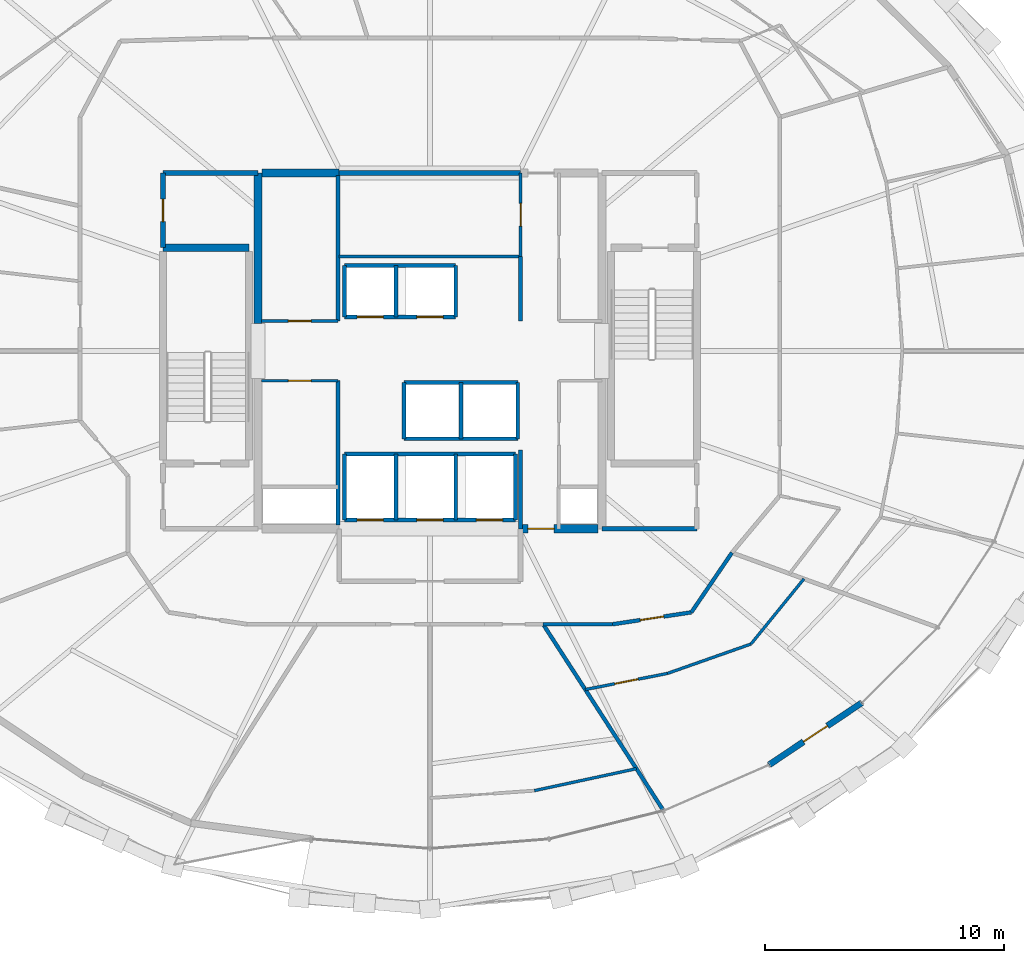
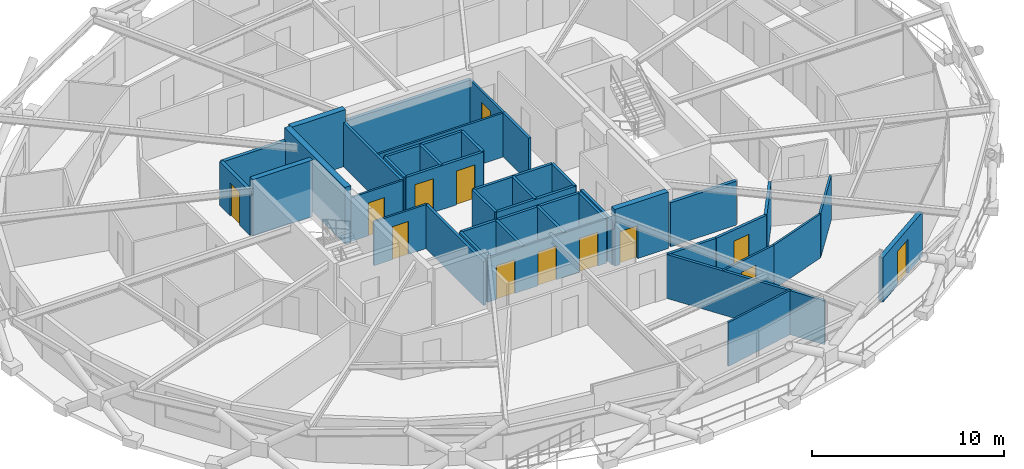
# One storey, part 15 of 19: 41 walls, 13 doors, 13 openings.
"""IFC4 building model written with IfcOpenShell, lengths in metres."""

from ifc_helpers import new_model, si_unit, direction, frame, frame_2d, origin, place, context, subcontext, project, spatial, rectangle, extrude, material, layer, layer_set, type_object, element, fill, save


model = new_model("IFC4")

# Units and contexts
model_context = context("Model", 3, precision=1e-05, world=origin(), true_north=direction((0.0, 1.0)))
body_context = subcontext(model_context, "Body", "Model", "MODEL_VIEW")
ifc_project = project(units=[si_unit("LENGTHUNIT", "METRE"), si_unit("AREAUNIT", "SQUARE_METRE"), si_unit("VOLUMEUNIT", "CUBIC_METRE"), si_unit("PLANEANGLEUNIT", "RADIAN"), si_unit("MASSUNIT", "GRAM", prefix="KILO")], contexts=[model_context])

# Site, building, storey
site_placement = place(None, origin())
site = spatial("IfcSite", under=ifc_project, at=site_placement, CompositionType="ELEMENT")
building_placement = place(site_placement, origin())
building = spatial("IfcBuilding", under=site, at=building_placement, Name="Veldorina Hangang Commons", CompositionType="ELEMENT")
storey_placement = place(building_placement, frame((0.0, 0.0, 167.60009765625)))
storey = spatial("IfcBuildingStorey", under=building, at=storey_placement, Name="L43", CompositionType="ELEMENT", Elevation=167.60009765625)

# Wall
ifc_material_1 = material(Name="Concrete C60/75", Category="concrete")
ifc_layer_1 = layer(ifc_material_1, 0.340087890625)
ifc_layer_set_1 = layer_set([ifc_layer_1], Name="Concrete C60/75")
wall_type_1 = type_object("IfcWallType", Name="CW-RC340-C60", PredefinedType="SHEAR", material=ifc_layer_set_1)
wall_1_placement = place(storey_placement, frame((24.800048828125, 25.14990234375, 0.0), z_axis=(0.0, 0.0, 1.0), x_axis=(0.0, 1.0, 0.0)))
element("IfcWall", 1, at=wall_1_placement, inside=storey, type_object=wall_type_1, Name="L43 W north core shear wall", PredefinedType="SHEAR", context=body_context, shape_type="SweptSolid", body=[
    extrude(rectangle(XDim=6.300048828125, YDim=0.340087890625, at=frame_2d((3.14990234375, 0.0))), origin(), (0.0, 0.0, 1.0), 3.599853515625),
])

# Wall, opening, door
wall_2_placement = place(storey_placement, frame((35.800048828125, 16.550048828125, 0.0), z_axis=(0.0, 0.0, 1.0), x_axis=(1.0, 0.0, 0.0)))
wall_2 = element("IfcWall", 2, at=wall_2_placement, inside=storey, type_object=wall_type_1, Name="L43 south-east core shear wall", PredefinedType="SHEAR", context=body_context, shape_type="SweptSolid", body=[
    extrude(rectangle(XDim=3.22998046875, YDim=0.340087890625, at=frame_2d((1.614990234375, 0.0))), origin(), (0.0, 0.0, 1.0), 3.599853515625),
])
opening_1_placement = place(wall_2_placement, frame((0.300048828125, 0.0, 0.0)))
opening_1 = element("IfcOpeningElement", 3, at=opening_1_placement, cuts=wall_2, Name="Opening D-08", PredefinedType="OPENING", context=body_context, shape_type="SweptSolid", body=[
    extrude(rectangle(XDim=1.10009765625, YDim=2.10009765625, at=frame_2d((0.550048828125, 1.050048828125))), frame((0.0, 0.18017578125, 0.0), z_axis=(0.0, -1.0, 0.0), x_axis=(1.0, 0.0, 0.0)), (0.0, 0.0, 1.0), 0.360107421875),
])
ifc_material_2 = material(Name="Steel Fire-Rated Smoke Seal", Category="steel")
door_type_1 = type_object("IfcDoorType", Name="DR-FIRE-1100", OperationType="SINGLE_SWING_RIGHT", PredefinedType="DOOR", material=ifc_material_2)
door_1_placement = place(opening_1_placement, origin())
door_1 = element("IfcDoor", 4, at=door_1_placement, inside=storey, type_object=door_type_1, Name="L43 central lift lobby south corridor door", OperationType="SINGLE_SWING_RIGHT", OverallHeight=2.10009765625, OverallWidth=1.10009765625, PredefinedType="DOOR", context=body_context, shape_type="SweptSolid", body=[
    extrude(rectangle(XDim=1.10009765625, YDim=2.10009765625, at=frame_2d((0.550048828125, 1.050048828125))), frame((0.0, 0.02490234375, 0.0), z_axis=(0.0, -1.0, 0.0), x_axis=(1.0, 0.0, 0.0)), (0.0, 0.0, 1.0), 0.050048828125),
])
fill(opening_1, door_1)

# Wall
wall_3_placement = place(storey_placement, frame((24.969970703125, 31.449951171875, 0.0), z_axis=(0.0, 0.0, 1.0), x_axis=(1.0, 0.0, 0.0)))
element("IfcWall", 5, at=wall_3_placement, inside=storey, type_object=wall_type_1, Name="L43 north-west core shear wall", PredefinedType="SHEAR", context=body_context, shape_type="SweptSolid", body=[
    extrude(rectangle(XDim=3.22998046875, YDim=0.340087890625, at=frame_2d((1.614990234375, 0.0))), origin(), (0.0, 0.0, 1.0), 3.599853515625),
])

# Wall, opening, door
ifc_material_3 = material(Name="Stone Roman Travertine", Category="masonry")
ifc_layer_2 = layer(ifc_material_3, 0.260009765625)
ifc_layer_set_2 = layer_set([ifc_layer_2], Name="Stone Roman Travertine")
wall_type_2 = type_object("IfcWallType", Name="EW-LOGGIA-260", PredefinedType="STANDARD", material=ifc_layer_set_2)
wall_4_placement = place(storey_placement, frame((46.208740234375, 6.66650390625, 0.0), z_axis=(0.0, 0.0, 1.0), x_axis=(0.831163195786, 0.556028544205, 0.0)))
wall_4 = element("IfcWall", 6, at=wall_4_placement, inside=storey, type_object=wall_type_2, Name="L43 sky-garden loggia portal wall 27", PredefinedType="STANDARD", context=body_context, shape_type="SweptSolid", body=[
    extrude(rectangle(XDim=4.6630859375, YDim=0.260009765625, at=frame_2d((2.33154296875, 0.0))), origin(), (0.0, 0.0, 1.0), 2.81982421875),
])
opening_2_placement = place(wall_4_placement, frame((1.7314453125, 0.0, 0.0)))
opening_2 = element("IfcOpeningElement", 7, at=opening_2_placement, cuts=wall_4, Name="Opening BD-1200", PredefinedType="OPENING", context=body_context, shape_type="SweptSolid", body=[
    extrude(rectangle(XDim=1.199951171875, YDim=2.14990234375, at=frame_2d((0.60009765625, 1.074951171875))), frame((0.0, 0.14013671875, 0.0), z_axis=(0.0, -1.0, 0.0), x_axis=(1.0, 0.0, 0.0)), (0.0, 0.0, 1.0), 0.280029296875),
])
ifc_material_4 = material(Name="Glass Thermal Aluminium Frame", Category="aluminium")
door_type_2 = type_object("IfcDoorType", Name="DR-EXT-LOG1200", OperationType="SINGLE_SWING_LEFT", PredefinedType="DOOR", material=ifc_material_4)
door_2_placement = place(opening_2_placement, origin())
door_2 = element("IfcDoor", 8, at=door_2_placement, inside=storey, type_object=door_type_2, Name="L43 loggia glazed exterior door 27", OperationType="SINGLE_SWING_RIGHT", OverallHeight=2.14990234375, OverallWidth=1.199951171875, PredefinedType="DOOR", context=body_context, shape_type="SweptSolid", body=[
    extrude(rectangle(XDim=1.199951171875, YDim=2.14990234375, at=frame_2d((0.60009765625, 1.074951171875))), frame((0.0, 0.02490234375, 0.0), z_axis=(0.0, -1.0, 0.0), x_axis=(1.0, 0.0, 0.0)), (0.0, 0.0, 1.0), 0.050048828125),
])
fill(opening_2, door_2)

# Walls
ifc_material_5 = material(Name="Concrete C50/60", Category="concrete")
ifc_layer_3 = layer(ifc_material_5, 0.300048828125)
ifc_layer_set_3 = layer_set([ifc_layer_3], Name="Concrete C50/60")
wall_type_3 = type_object("IfcWallType", Name="SW-STAIR-300", PredefinedType="SHEAR", material=ifc_layer_set_3)
wall_5_placement = place(storey_placement, frame((20.820068359375, 28.320068359375, 0.0), z_axis=(0.0, 0.0, 1.0), x_axis=(1.0, 0.0, 0.0)))
element("IfcWall", 9, at=wall_5_placement, inside=storey, type_object=wall_type_3, Name="L43 ST1 north stair shear wall", PredefinedType="SHEAR", context=body_context, shape_type="SweptSolid", body=[
    extrude(rectangle(XDim=3.599853515625, YDim=0.300048828125, at=frame_2d((1.7998046875, 0.0))), origin(), (0.0, 0.0, 1.0), 3.599853515625),
])
ifc_material_6 = material(Name="Gypsum Fire-Rated Twin Stud Wall", Category="gypsum")
ifc_layer_4 = layer(ifc_material_6, 0.159912109375)
ifc_layer_set_4 = layer_set([ifc_layer_4], Name="Gypsum Fire-Rated Twin Stud Wall")
wall_type_4 = type_object("IfcWallType", Name="WL-FIRE-160", PredefinedType="SOLIDWALL", material=ifc_layer_set_4)
wall_6_placement = place(storey_placement, frame((35.800048828125, 16.550048828125, 0.0), z_axis=(0.0, 0.0, 1.0), x_axis=(0.0, 1.0, 0.0)))
element("IfcWall", 10, at=wall_6_placement, inside=storey, type_object=wall_type_4, Name="L43 Lift passage SW wall 009", PredefinedType="SOLIDWALL", context=body_context, shape_type="SweptSolid", body=[
    extrude(rectangle(XDim=3.300048828125, YDim=0.159912109375, at=frame_2d((1.64990234375, 0.0))), origin(), (0.0, 0.0, 1.0), 2.7998046875),
])
wall_7_placement = place(storey_placement, frame((35.800048828125, 25.25, 0.0), z_axis=(0.0, 0.0, 1.0), x_axis=(0.0, 1.0, 0.0)))
element("IfcWall", 11, at=wall_7_placement, inside=storey, type_object=wall_type_4, Name="L43 Lift passage NW lower wall 011", PredefinedType="SOLIDWALL", context=body_context, shape_type="SweptSolid", body=[
    extrude(rectangle(XDim=2.699951171875, YDim=0.159912109375, at=frame_2d((1.35009765625, 0.0))), origin(), (0.0, 0.0, 1.0), 2.7998046875),
])

# Wall, openings, doors
wall_8_placement = place(storey_placement, frame((28.419921875, 25.419921875, 0.0), z_axis=(0.0, 0.0, 1.0), x_axis=(1.0, 0.0, 0.0)))
wall_8 = element("IfcWall", 12, at=wall_8_placement, inside=storey, type_object=wall_type_4, Name="L43 Mid-high front shaft wall 015", PredefinedType="SOLIDWALL", context=body_context, shape_type="SweptSolid", body=[
    extrude(rectangle(XDim=4.66015625, YDim=0.159912109375, at=frame_2d((2.330078125, 0.0))), origin(), (0.0, 0.0, 1.0), 2.7998046875),
])
opening_3_placement = place(wall_8_placement, frame((0.530029296875, 0.0, 0.0)))
opening_3 = element("IfcOpeningElement", 13, at=opening_3_placement, cuts=wall_8, Name="Opening LD-01", PredefinedType="OPENING", context=body_context, shape_type="SweptSolid", body=[
    extrude(rectangle(XDim=1.10009765625, YDim=2.14990234375, at=frame_2d((0.550048828125, 1.074951171875))), frame((0.0, 0.08984375, 0.0), z_axis=(0.0, -1.0, 0.0), x_axis=(1.0, 0.0, 0.0)), (0.0, 0.0, 1.0), 0.179931640625),
])
opening_4_placement = place(wall_8_placement, frame((3.030029296875, 0.0, 0.0)))
opening_4 = element("IfcOpeningElement", 14, at=opening_4_placement, cuts=wall_8, Name="Opening LD-01", PredefinedType="OPENING", context=body_context, shape_type="SweptSolid", body=[
    extrude(rectangle(XDim=1.10009765625, YDim=2.14990234375, at=frame_2d((0.550048828125, 1.074951171875))), frame((0.0, 0.08984375, 0.0), z_axis=(0.0, -1.0, 0.0), x_axis=(1.0, 0.0, 0.0)), (0.0, 0.0, 1.0), 0.179931640625),
])
ifc_material_7 = material(Name="Stainless Steel Brushed Lift Door", Category="steel")
door_type_3 = type_object("IfcDoorType", Name="DR-LIFT-1100", OperationType="SLIDING_TO_LEFT", PredefinedType="DOOR", material=ifc_material_7)
door_3_placement = place(opening_3_placement, origin())
door_3 = element("IfcDoor", 15, at=door_3_placement, inside=storey, type_object=door_type_3, Name="L43 Lift PL-M1 landing door 006", OperationType="SLIDING_TO_RIGHT", OverallHeight=2.14990234375, OverallWidth=1.10009765625, PredefinedType="DOOR", context=body_context, shape_type="SweptSolid", body=[
    extrude(rectangle(XDim=1.10009765625, YDim=2.14990234375, at=frame_2d((0.550048828125, 1.074951171875))), frame((0.0, 0.02490234375, 0.0), z_axis=(0.0, -1.0, 0.0), x_axis=(1.0, 0.0, 0.0)), (0.0, 0.0, 1.0), 0.050048828125),
])
fill(opening_3, door_3)
door_4_placement = place(opening_4_placement, origin())
door_4 = element("IfcDoor", 16, at=door_4_placement, inside=storey, type_object=door_type_3, Name="L43 Lift PL-M2 landing door 007", OperationType="SLIDING_TO_RIGHT", OverallHeight=2.14990234375, OverallWidth=1.10009765625, PredefinedType="DOOR", context=body_context, shape_type="SweptSolid", body=[
    extrude(rectangle(XDim=1.10009765625, YDim=2.14990234375, at=frame_2d((0.550048828125, 1.074951171875))), frame((0.0, 0.02490234375, 0.0), z_axis=(0.0, -1.0, 0.0), x_axis=(1.0, 0.0, 0.0)), (0.0, 0.0, 1.0), 0.050048828125),
])
fill(opening_4, door_4)

# Walls
wall_9_placement = place(storey_placement, frame((28.419921875, 27.580078125, 0.0), z_axis=(0.0, 0.0, 1.0), x_axis=(1.0, 0.0, 0.0)))
element("IfcWall", 17, at=wall_9_placement, inside=storey, type_object=wall_type_4, Name="L43 Mid-high rear shaft wall 016", PredefinedType="SOLIDWALL", context=body_context, shape_type="SweptSolid", body=[
    extrude(rectangle(XDim=4.66015625, YDim=0.159912109375, at=frame_2d((2.330078125, 0.0))), origin(), (0.0, 0.0, 1.0), 2.7998046875),
])
for number, where, z_axis, x_axis, name in (
    (18, (28.419921875, 25.419921875, 0.0), (0.0, 0.0, 1.0), (0.0, 1.0, 0.0), "L43 PL-M1 west shaft wall 017"),
    (19, (30.580078125, 25.419921875, 0.0), (0.0, 0.0, 1.0), (0.0, 1.0, 0.0), "L43 PL-M1 east shaft wall 018"),
    (20, (33.080078125, 25.419921875, 0.0), (0.0, 0.0, 1.0), (0.0, 1.0, 0.0), "L43 PL-M2 east shaft wall 019"),
):
    element("IfcWall", number, at=place(storey_placement, frame(where, z_axis=z_axis, x_axis=x_axis)), inside=storey, type_object=wall_type_4, Name=name, PredefinedType="SOLIDWALL", context=body_context, shape_type="SweptSolid", body=[
        extrude(rectangle(XDim=2.16015625, YDim=0.159912109375, at=frame_2d((1.080078125, 0.0))), origin(), (0.0, 0.0, 1.0), 2.7998046875),
    ])
for number, where, z_axis, x_axis, name in (
    (21, (30.919921875, 22.679931640625, 0.0), (0.0, 0.0, 1.0), (1.0, 0.0, 0.0), "L43 Shuttle-high front shaft wall 020"),
    (22, (30.919921875, 20.320068359375, 0.0), (0.0, 0.0, 1.0), (1.0, 0.0, 0.0), "L43 Shuttle-high rear shaft wall 021"),
):
    element("IfcWall", number, at=place(storey_placement, frame(where, z_axis=z_axis, x_axis=x_axis)), inside=storey, type_object=wall_type_4, Name=name, PredefinedType="SOLIDWALL", context=body_context, shape_type="SweptSolid", body=[
        extrude(rectangle(XDim=4.760009765625, YDim=0.159912109375, at=frame_2d((2.3798828125, 0.0))), origin(), (0.0, 0.0, 1.0), 2.7998046875),
    ])
for number, where, z_axis, x_axis, name in (
    (23, (30.919921875, 20.320068359375, 0.0), (0.0, 0.0, 1.0), (0.0, 1.0, 0.0), "L43 SL-1 west shaft wall 022"),
    (24, (33.300048828125, 20.320068359375, 0.0), (0.0, 0.0, 1.0), (0.0, 1.0, 0.0), "L43 SL-1 east shaft wall 023"),
    (25, (35.679931640625, 20.320068359375, 0.0), (0.0, 0.0, 1.0), (0.0, 1.0, 0.0), "L43 SL-2 east shaft wall 024"),
):
    element("IfcWall", number, at=place(storey_placement, frame(where, z_axis=z_axis, x_axis=x_axis)), inside=storey, type_object=wall_type_4, Name=name, PredefinedType="SOLIDWALL", context=body_context, shape_type="SweptSolid", body=[
        extrude(rectangle(XDim=2.35986328125, YDim=0.159912109375, at=frame_2d((1.179931640625, 0.0))), origin(), (0.0, 0.0, 1.0), 2.7998046875),
    ])

# Wall, openings, doors
wall_10_placement = place(storey_placement, frame((28.419921875, 16.919921875, 0.0), z_axis=(0.0, 0.0, 1.0), x_axis=(1.0, 0.0, 0.0)))
wall_10 = element("IfcWall", 26, at=wall_10_placement, inside=storey, type_object=wall_type_4, Name="L43 Emergency front shaft wall 025", PredefinedType="SOLIDWALL", context=body_context, shape_type="SweptSolid", body=[
    extrude(rectangle(XDim=7.16015625, YDim=0.159912109375, at=frame_2d((3.580078125, 0.0))), origin(), (0.0, 0.0, 1.0), 2.7998046875),
])
opening_5_placement = place(wall_10_placement, frame((0.530029296875, 0.0, 0.0)))
opening_5 = element("IfcOpeningElement", 27, at=opening_5_placement, cuts=wall_10, Name="Opening LD-03", PredefinedType="OPENING", context=body_context, shape_type="SweptSolid", body=[
    extrude(rectangle(XDim=1.10009765625, YDim=2.14990234375, at=frame_2d((0.550048828125, 1.074951171875))), frame((0.0, 0.08984375, 0.0), z_axis=(0.0, -1.0, 0.0), x_axis=(1.0, 0.0, 0.0)), (0.0, 0.0, 1.0), 0.179931640625),
])
opening_6_placement = place(wall_10_placement, frame((3.030029296875, 0.0, 0.0)))
opening_6 = element("IfcOpeningElement", 28, at=opening_6_placement, cuts=wall_10, Name="Opening LD-03", PredefinedType="OPENING", context=body_context, shape_type="SweptSolid", body=[
    extrude(rectangle(XDim=1.10009765625, YDim=2.14990234375, at=frame_2d((0.550048828125, 1.074951171875))), frame((0.0, 0.08984375, 0.0), z_axis=(0.0, -1.0, 0.0), x_axis=(1.0, 0.0, 0.0)), (0.0, 0.0, 1.0), 0.179931640625),
])
opening_7_placement = place(wall_10_placement, frame((5.530029296875, 0.0, 0.0)))
opening_7 = element("IfcOpeningElement", 29, at=opening_7_placement, cuts=wall_10, Name="Opening LD-03", PredefinedType="OPENING", context=body_context, shape_type="SweptSolid", body=[
    extrude(rectangle(XDim=1.10009765625, YDim=2.14990234375, at=frame_2d((0.550048828125, 1.074951171875))), frame((0.0, 0.08984375, 0.0), z_axis=(0.0, -1.0, 0.0), x_axis=(1.0, 0.0, 0.0)), (0.0, 0.0, 1.0), 0.179931640625),
])
ifc_material_8 = material(Name="Stainless Steel Firefighting Lift Door", Category="steel")
door_type_4 = type_object("IfcDoorType", Name="DR-LIFT-FF1100", OperationType="SLIDING_TO_RIGHT", PredefinedType="DOOR", material=ifc_material_8)
door_5_placement = place(opening_5_placement, origin())
door_5 = element("IfcDoor", 30, at=door_5_placement, inside=storey, type_object=door_type_4, Name="L43 Emergency lift FFL-1 landing door 008", OperationType="SLIDING_TO_RIGHT", OverallHeight=2.14990234375, OverallWidth=1.10009765625, PredefinedType="DOOR", context=body_context, shape_type="SweptSolid", body=[
    extrude(rectangle(XDim=1.10009765625, YDim=2.14990234375, at=frame_2d((0.550048828125, 1.074951171875))), frame((0.0, 0.02490234375, 0.0), z_axis=(0.0, -1.0, 0.0), x_axis=(1.0, 0.0, 0.0)), (0.0, 0.0, 1.0), 0.050048828125),
])
fill(opening_5, door_5)
door_6_placement = place(opening_6_placement, origin())
door_6 = element("IfcDoor", 31, at=door_6_placement, inside=storey, type_object=door_type_4, Name="L43 Emergency lift FFL-2 landing door 009", OperationType="SLIDING_TO_RIGHT", OverallHeight=2.14990234375, OverallWidth=1.10009765625, PredefinedType="DOOR", context=body_context, shape_type="SweptSolid", body=[
    extrude(rectangle(XDim=1.10009765625, YDim=2.14990234375, at=frame_2d((0.550048828125, 1.074951171875))), frame((0.0, 0.02490234375, 0.0), z_axis=(0.0, -1.0, 0.0), x_axis=(1.0, 0.0, 0.0)), (0.0, 0.0, 1.0), 0.050048828125),
])
fill(opening_6, door_6)
door_7_placement = place(opening_7_placement, origin())
door_7 = element("IfcDoor", 32, at=door_7_placement, inside=storey, type_object=door_type_4, Name="L43 Emergency lift EVL-1 landing door 010", OperationType="SLIDING_TO_RIGHT", OverallHeight=2.14990234375, OverallWidth=1.10009765625, PredefinedType="DOOR", context=body_context, shape_type="SweptSolid", body=[
    extrude(rectangle(XDim=1.10009765625, YDim=2.14990234375, at=frame_2d((0.550048828125, 1.074951171875))), frame((0.0, 0.02490234375, 0.0), z_axis=(0.0, -1.0, 0.0), x_axis=(1.0, 0.0, 0.0)), (0.0, 0.0, 1.0), 0.050048828125),
])
fill(opening_7, door_7)

# Walls
wall_11_placement = place(storey_placement, frame((28.419921875, 19.679931640625, 0.0), z_axis=(0.0, 0.0, 1.0), x_axis=(1.0, 0.0, 0.0)))
element("IfcWall", 33, at=wall_11_placement, inside=storey, type_object=wall_type_4, Name="L43 Emergency rear shaft wall 026", PredefinedType="SOLIDWALL", context=body_context, shape_type="SweptSolid", body=[
    extrude(rectangle(XDim=7.16015625, YDim=0.159912109375, at=frame_2d((3.580078125, 0.0))), origin(), (0.0, 0.0, 1.0), 2.7998046875),
])
for number, where, z_axis, x_axis, name in (
    (34, (28.419921875, 16.919921875, 0.0), (0.0, 0.0, 1.0), (0.0, 1.0, 0.0), "L43 FFL-1 west shaft wall 027"),
    (35, (30.580078125, 16.919921875, 0.0), (0.0, 0.0, 1.0), (0.0, 1.0, 0.0), "L43 FFL-1 east shaft wall 028"),
    (36, (33.080078125, 16.919921875, 0.0), (0.0, 0.0, 1.0), (0.0, 1.0, 0.0), "L43 FFL-2 east shaft wall 029"),
    (37, (35.580078125, 16.919921875, 0.0), (0.0, 0.0, 1.0), (0.0, 1.0, 0.0), "L43 EVL-1 east shaft wall 030"),
):
    element("IfcWall", number, at=place(storey_placement, frame(where, z_axis=z_axis, x_axis=x_axis)), inside=storey, type_object=wall_type_4, Name=name, PredefinedType="SOLIDWALL", context=body_context, shape_type="SweptSolid", body=[
        extrude(rectangle(XDim=2.760009765625, YDim=0.159912109375, at=frame_2d((1.3798828125, 0.0))), origin(), (0.0, 0.0, 1.0), 2.7998046875),
    ])
wall_12_placement = place(storey_placement, frame((28.14990234375, 16.699951171875, 0.0), z_axis=(0.0, 0.0, 1.0), x_axis=(0.0, 1.0, 0.0)))
element("IfcWall", 38, at=wall_12_placement, inside=storey, type_object=wall_type_4, Name="L43 SW core inner wall 035", PredefinedType="SOLIDWALL", context=body_context, shape_type="SweptSolid", body=[
    extrude(rectangle(XDim=6.050048828125, YDim=0.159912109375, at=frame_2d((3.02490234375, 0.0))), origin(), (0.0, 0.0, 1.0), 2.7998046875),
])
wall_13_placement = place(storey_placement, frame((28.14990234375, 25.25, 0.0), z_axis=(0.0, 0.0, 1.0), x_axis=(0.0, 1.0, 0.0)))
element("IfcWall", 39, at=wall_13_placement, inside=storey, type_object=wall_type_4, Name="L43 NW core inner wall 037", PredefinedType="SOLIDWALL", context=body_context, shape_type="SweptSolid", body=[
    extrude(rectangle(XDim=6.10009765625, YDim=0.159912109375, at=frame_2d((3.050048828125, 0.0))), origin(), (0.0, 0.0, 1.0), 2.7998046875),
])
wall_14_placement = place(storey_placement, frame((36.74267578125, 12.550048828125, 0.0), z_axis=(0.0, 0.0, 1.0), x_axis=(1.0, 0.0, 0.0)))
element("IfcWall", 40, at=wall_14_placement, inside=storey, type_object=wall_type_4, Name="L43 U-corridor outer wall 26 070", PredefinedType="SOLIDWALL", context=body_context, shape_type="SweptSolid", body=[
    extrude(rectangle(XDim=2.907958984375, YDim=0.159912109375, at=frame_2d((1.4541015625, 0.0))), origin(), (0.0, 0.0, 1.0), 2.7998046875),
])

# Wall, opening, door
wall_15_placement = place(storey_placement, frame((39.650634765625, 12.550048828125, 0.0), z_axis=(0.0, 0.0, 1.0), x_axis=(0.988710906508, 0.149835721217, 0.0)))
wall_15 = element("IfcWall", 41, at=wall_15_placement, inside=storey, type_object=wall_type_4, Name="L43 U-corridor outer wall 27 071", PredefinedType="SOLIDWALL", context=body_context, shape_type="SweptSolid", body=[
    extrude(rectangle(XDim=3.3369140625, YDim=0.159912109375, at=frame_2d((1.66845703125, 0.0))), origin(), (0.0, 0.0, 1.0), 2.7998046875),
])
opening_8_placement = place(wall_15_placement, frame((1.16845703125, 0.0, 0.0)))
opening_8 = element("IfcOpeningElement", 42, at=opening_8_placement, cuts=wall_15, Name="Opening D-05", PredefinedType="OPENING", context=body_context, shape_type="SweptSolid", body=[
    extrude(rectangle(XDim=1.0, YDim=2.10009765625, at=frame_2d((0.5, 1.050048828125))), frame((0.0, 0.08984375, 0.0), z_axis=(0.0, -1.0, 0.0), x_axis=(1.0, 0.0, 0.0)), (0.0, 0.0, 1.0), 0.179931640625),
])
ifc_material_9 = material(Name="Timber Solid Core Acoustic", Category="wood")
door_type_5 = type_object("IfcDoorType", Name="DR-INT-1000", OperationType="SINGLE_SWING_RIGHT", PredefinedType="DOOR", material=ifc_material_9)
door_8_placement = place(opening_8_placement, origin())
door_8 = element("IfcDoor", 43, at=door_8_placement, inside=storey, type_object=door_type_5, Name="L43 Commons alcove door 016", OperationType="SINGLE_SWING_RIGHT", OverallHeight=2.10009765625, OverallWidth=1.0, PredefinedType="DOOR", context=body_context, shape_type="SweptSolid", body=[
    extrude(rectangle(XDim=1.0, YDim=2.10009765625, at=frame_2d((0.5, 1.050048828125))), frame((0.0, 0.02490234375, 0.0), z_axis=(0.0, -1.0, 0.0), x_axis=(1.0, 0.0, 0.0)), (0.0, 0.0, 1.0), 0.050048828125),
])
fill(opening_8, door_8)

# Walls
wall_16_placement = place(storey_placement, frame((42.949951171875, 13.050048828125, 0.0), z_axis=(0.0, 0.0, 1.0), x_axis=(0.562674669208, 0.826678423955, 0.0)))
element("IfcWall", 44, at=wall_16_placement, inside=storey, type_object=wall_type_4, Name="L43 U-corridor outer wall 28 072", PredefinedType="SOLIDWALL", context=body_context, shape_type="SweptSolid", body=[
    extrude(rectangle(XDim=3.021240234375, YDim=0.159912109375, at=frame_2d((1.5107421875, 0.0))), origin(), (0.0, 0.0, 1.0), 2.7998046875),
])
wall_17_placement = place(storey_placement, frame((36.74267578125, 12.550048828125, 0.0), z_axis=(0.0, 0.0, 1.0), x_axis=(0.542572394961, -0.840009045324, 0.0)))
element("IfcWall", 45, at=wall_17_placement, inside=storey, type_object=wall_type_4, Name="L43 Unit party wall 26 076", PredefinedType="SOLIDWALL", context=body_context, shape_type="SweptSolid", body=[
    extrude(rectangle(XDim=9.247314453125, YDim=0.159912109375, at=frame_2d((4.62353515625, 0.0))), origin(), (0.0, 0.0, 1.0), 2.7998046875),
])

# Wall, opening, door
ifc_material_10 = material(Name="Concrete Blockwork Fire Wall C30/37", Category="masonry")
ifc_layer_5 = layer(ifc_material_10, 0.199951171875)
ifc_layer_set_5 = layer_set([ifc_layer_5], Name="Concrete Blockwork Fire Wall C30/37")
wall_type_5 = type_object("IfcWallType", Name="WL-FIRE-200", PredefinedType="SOLIDWALL", material=ifc_layer_set_5)
wall_18_placement = place(storey_placement, frame((20.820068359375, 28.320068359375, 0.0), z_axis=(0.0, 0.0, 1.0), x_axis=(0.0, 1.0, 0.0)))
wall_18 = element("IfcWall", 46, at=wall_18_placement, inside=storey, type_object=wall_type_5, Name="L43 NW core room outer wall 005", PredefinedType="SOLIDWALL", context=body_context, shape_type="SweptSolid", body=[
    extrude(rectangle(XDim=3.1298828125, YDim=0.199951171875, at=frame_2d((1.56494140625, 0.0))), origin(), (0.0, 0.0, 1.0), 2.7998046875),
])
opening_9_placement = place(wall_18_placement, frame((1.090087890625, 0.0, 0.0)))
opening_9 = element("IfcOpeningElement", 47, at=opening_9_placement, cuts=wall_18, Name="Opening D-04", PredefinedType="OPENING", context=body_context, shape_type="SweptSolid", body=[
    extrude(rectangle(XDim=0.949951171875, YDim=2.10009765625, at=frame_2d((0.47509765625, 1.050048828125))), frame((0.0, 0.10986328125, 0.0), z_axis=(0.0, -1.0, 0.0), x_axis=(1.0, 0.0, 0.0)), (0.0, 0.0, 1.0), 0.219970703125),
])
ifc_material_11 = material(Name="Timber Accessible Flush Leaf", Category="wood")
door_type_6 = type_object("IfcDoorType", Name="DR-ACC-950", OperationType="SINGLE_SWING_LEFT", PredefinedType="DOOR", material=ifc_material_11)
door_9_placement = place(opening_9_placement, origin())
door_9 = element("IfcDoor", 48, at=door_9_placement, inside=storey, type_object=door_type_6, Name="L43 NW core WC door 003", OperationType="SINGLE_SWING_LEFT", OverallHeight=2.10009765625, OverallWidth=0.949951171875, PredefinedType="DOOR", context=body_context, shape_type="SweptSolid", body=[
    extrude(rectangle(XDim=0.949951171875, YDim=2.10009765625, at=frame_2d((0.47509765625, 1.050048828125))), frame((0.0, 0.02490234375, 0.0), z_axis=(0.0, -1.0, 0.0), x_axis=(1.0, 0.0, 0.0)), (0.0, 0.0, 1.0), 0.050048828125),
])
fill(opening_9, door_9)

# Walls
for number, where, z_axis, x_axis, name in (
    (49, (20.820068359375, 31.449951171875, 0.0), (0.0, 0.0, 1.0), (1.0, 0.0, 0.0), "L43 NW core room north wall 006"),
    (50, (39.199951171875, 16.550048828125, 0.0), (0.0, 0.0, 1.0), (1.0, 0.0, 0.0), "L43 SE core room south wall 008"),
):
    element("IfcWall", number, at=place(storey_placement, frame(where, z_axis=z_axis, x_axis=x_axis)), inside=storey, type_object=wall_type_5, Name=name, PredefinedType="SOLIDWALL", context=body_context, shape_type="SweptSolid", body=[
        extrude(rectangle(XDim=3.97998046875, YDim=0.199951171875, at=frame_2d((1.989990234375, 0.0))), origin(), (0.0, 0.0, 1.0), 2.7998046875),
    ])
wall_19_placement = place(storey_placement, frame((28.199951171875, 31.449951171875, 0.0), z_axis=(0.0, 0.0, 1.0), x_axis=(1.0, 0.0, 0.0)))
element("IfcWall", 51, at=wall_19_placement, inside=storey, type_object=wall_type_5, Name="L43 Merged north core wall 031", PredefinedType="SOLIDWALL", context=body_context, shape_type="SweptSolid", body=[
    extrude(rectangle(XDim=7.60009765625, YDim=0.199951171875, at=frame_2d((3.800048828125, 0.0))), origin(), (0.0, 0.0, 1.0), 2.7998046875),
])
ifc_material_12 = material(Name="Gypsum Acoustic Stud Partition", Category="gypsum")
ifc_layer_6 = layer(ifc_material_12, 0.1201171875)
ifc_layer_set_6 = layer_set([ifc_layer_6], Name="Gypsum Acoustic Stud Partition")
wall_type_6 = type_object("IfcWallType", Name="WL-PART-120", PredefinedType="PARTITIONING", material=ifc_layer_set_6)
wall_20_placement = place(storey_placement, frame((28.199951171875, 27.949951171875, 0.0), z_axis=(0.0, 0.0, 1.0), x_axis=(1.0, 0.0, 0.0)))
element("IfcWall", 52, at=wall_20_placement, inside=storey, type_object=wall_type_6, Name="L43 Merged north south wall 032", PredefinedType="PARTITIONING", context=body_context, shape_type="SweptSolid", body=[
    extrude(rectangle(XDim=7.60009765625, YDim=0.1201171875, at=frame_2d((3.800048828125, 0.0))), origin(), (0.0, 0.0, 1.0), 2.7998046875),
])

# Wall, opening, door
wall_21_placement = place(storey_placement, frame((35.800048828125, 27.949951171875, 0.0), z_axis=(0.0, 0.0, 1.0), x_axis=(0.0, 1.0, 0.0)))
wall_21 = element("IfcWall", 53, at=wall_21_placement, inside=storey, type_object=wall_type_6, Name="L43 Merged north east wall 033", PredefinedType="PARTITIONING", context=body_context, shape_type="SweptSolid", body=[
    extrude(rectangle(XDim=3.5, YDim=0.1201171875, at=frame_2d((1.75, 0.0))), origin(), (0.0, 0.0, 1.0), 2.7998046875),
])
opening_10_placement = place(wall_21_placement, frame((1.27490234375, 0.0, 0.0)))
opening_10 = element("IfcOpeningElement", 54, at=opening_10_placement, cuts=wall_21, Name="Opening D-02", PredefinedType="OPENING", context=body_context, shape_type="SweptSolid", body=[
    extrude(rectangle(XDim=0.949951171875, YDim=2.10009765625, at=frame_2d((0.47509765625, 1.050048828125))), frame((0.0, 0.070068359375, 0.0), z_axis=(0.0, -1.0, 0.0), x_axis=(1.0, 0.0, 0.0)), (0.0, 0.0, 1.0), 0.14013671875),
])
door_type_7 = type_object("IfcDoorType", Name="DR-INT-950", OperationType="SINGLE_SWING_LEFT", PredefinedType="DOOR", material=ifc_material_9)
door_10_placement = place(opening_10_placement, origin())
door_10 = element("IfcDoor", 55, at=door_10_placement, inside=storey, type_object=door_type_7, Name="L43 Merged north room lobby door 011", OperationType="SINGLE_SWING_LEFT", OverallHeight=2.10009765625, OverallWidth=0.949951171875, PredefinedType="DOOR", context=body_context, shape_type="SweptSolid", body=[
    extrude(rectangle(XDim=0.949951171875, YDim=2.10009765625, at=frame_2d((0.47509765625, 1.050048828125))), frame((0.0, 0.02490234375, 0.0), z_axis=(0.0, -1.0, 0.0), x_axis=(1.0, 0.0, 0.0)), (0.0, 0.0, 1.0), 0.050048828125),
])
fill(opening_10, door_10)

wall_22_placement = place(storey_placement, frame((24.949951171875, 25.25, 0.0), z_axis=(0.0, 0.0, 1.0), x_axis=(1.0, 0.0, 0.0)))
wall_22 = element("IfcWall", 56, at=wall_22_placement, inside=storey, type_object=wall_type_6, Name="L43 NW service south wall 038", PredefinedType="PARTITIONING", context=body_context, shape_type="SweptSolid", body=[
    extrude(rectangle(XDim=3.199951171875, YDim=0.1201171875, at=frame_2d((1.60009765625, 0.0))), origin(), (0.0, 0.0, 1.0), 2.7998046875),
])
opening_11_placement = place(wall_22_placement, frame((1.125, 0.0, 0.0)))
opening_11 = element("IfcOpeningElement", 57, at=opening_11_placement, cuts=wall_22, Name="Opening D-02", PredefinedType="OPENING", context=body_context, shape_type="SweptSolid", body=[
    extrude(rectangle(XDim=0.949951171875, YDim=2.10009765625, at=frame_2d((0.47509765625, 1.050048828125))), frame((0.0, 0.070068359375, 0.0), z_axis=(0.0, -1.0, 0.0), x_axis=(1.0, 0.0, 0.0)), (0.0, 0.0, 1.0), 0.14013671875),
])
door_11_placement = place(opening_11_placement, origin())
door_11 = element("IfcDoor", 58, at=door_11_placement, inside=storey, type_object=door_type_7, Name="L43 Housekeeping store door 012", OperationType="SINGLE_SWING_RIGHT", OverallHeight=2.10009765625, OverallWidth=0.949951171875, PredefinedType="DOOR", context=body_context, shape_type="SweptSolid", body=[
    extrude(rectangle(XDim=0.949951171875, YDim=2.10009765625, at=frame_2d((0.47509765625, 1.050048828125))), frame((0.0, 0.02490234375, 0.0), z_axis=(0.0, -1.0, 0.0), x_axis=(1.0, 0.0, 0.0)), (0.0, 0.0, 1.0), 0.050048828125),
])
fill(opening_11, door_11)

wall_23_placement = place(storey_placement, frame((24.949951171875, 22.75, 0.0), z_axis=(0.0, 0.0, 1.0), x_axis=(1.0, 0.0, 0.0)))
wall_23 = element("IfcWall", 59, at=wall_23_placement, inside=storey, type_object=wall_type_6, Name="L43 SW service north wall 039", PredefinedType="PARTITIONING", context=body_context, shape_type="SweptSolid", body=[
    extrude(rectangle(XDim=3.199951171875, YDim=0.1201171875, at=frame_2d((1.60009765625, 0.0))), origin(), (0.0, 0.0, 1.0), 2.7998046875),
])
opening_12_placement = place(wall_23_placement, frame((1.125, 0.0, 0.0)))
opening_12 = element("IfcOpeningElement", 60, at=opening_12_placement, cuts=wall_23, Name="Opening D-02", PredefinedType="OPENING", context=body_context, shape_type="SweptSolid", body=[
    extrude(rectangle(XDim=0.949951171875, YDim=2.10009765625, at=frame_2d((0.47509765625, 1.050048828125))), frame((0.0, 0.070068359375, 0.0), z_axis=(0.0, -1.0, 0.0), x_axis=(1.0, 0.0, 0.0)), (0.0, 0.0, 1.0), 0.14013671875),
])
door_12_placement = place(opening_12_placement, origin())
door_12 = element("IfcDoor", 61, at=door_12_placement, inside=storey, type_object=door_type_7, Name="L43 Refuse hold door 013", OperationType="SINGLE_SWING_LEFT", OverallHeight=2.10009765625, OverallWidth=0.949951171875, PredefinedType="DOOR", context=body_context, shape_type="SweptSolid", body=[
    extrude(rectangle(XDim=0.949951171875, YDim=2.10009765625, at=frame_2d((0.47509765625, 1.050048828125))), frame((0.0, 0.02490234375, 0.0), z_axis=(0.0, -1.0, 0.0), x_axis=(1.0, 0.0, 0.0)), (0.0, 0.0, 1.0), 0.050048828125),
])
fill(opening_12, door_12)

wall_24_placement = place(storey_placement, frame((38.50830078125, 9.816650390625, 0.0), z_axis=(0.0, 0.0, 1.0), x_axis=(0.981313491658, 0.192415776612, 0.0)))
wall_24 = element("IfcWall", 62, at=wall_24_placement, inside=storey, type_object=wall_type_6, Name="L43 Lounge alcove split 0 077", PredefinedType="PARTITIONING", context=body_context, shape_type="SweptSolid", body=[
    extrude(rectangle(XDim=3.503173828125, YDim=0.1201171875, at=frame_2d((1.75146484375, 0.0))), origin(), (0.0, 0.0, 1.0), 2.7998046875),
])
opening_13_placement = place(wall_24_placement, frame((1.251708984375, 0.0, 0.0)))
opening_13 = element("IfcOpeningElement", 63, at=opening_13_placement, cuts=wall_24, Name="Opening D-05", PredefinedType="OPENING", context=body_context, shape_type="SweptSolid", body=[
    extrude(rectangle(XDim=1.0, YDim=2.10009765625, at=frame_2d((0.5, 1.050048828125))), frame((0.0, 0.070068359375, 0.0), z_axis=(0.0, -1.0, 0.0), x_axis=(1.0, 0.0, 0.0)), (0.0, 0.0, 1.0), 0.14013671875),
])
door_13_placement = place(opening_13_placement, origin())
door_13 = element("IfcDoor", 64, at=door_13_placement, inside=storey, type_object=door_type_5, Name="L43 Commons lounge door 017", OperationType="SINGLE_SWING_LEFT", OverallHeight=2.10009765625, OverallWidth=1.0, PredefinedType="DOOR", context=body_context, shape_type="SweptSolid", body=[
    extrude(rectangle(XDim=1.0, YDim=2.10009765625, at=frame_2d((0.5, 1.050048828125))), frame((0.0, 0.02490234375, 0.0), z_axis=(0.0, -1.0, 0.0), x_axis=(1.0, 0.0, 0.0)), (0.0, 0.0, 1.0), 0.050048828125),
])
fill(opening_13, door_13)

# Walls
wall_25_placement = place(storey_placement, frame((41.946044921875, 10.49072265625, 0.0), z_axis=(0.0, 0.0, 1.0), x_axis=(0.943262037543, 0.332049286298, 0.0)))
element("IfcWall", 65, at=wall_25_placement, inside=storey, type_object=wall_type_6, Name="L43 Lounge alcove split 1 078", PredefinedType="PARTITIONING", context=body_context, shape_type="SweptSolid", body=[
    extrude(rectangle(XDim=3.711669921875, YDim=0.1201171875, at=frame_2d((1.85595703125, 0.0))), origin(), (0.0, 0.0, 1.0), 2.7998046875),
])
wall_26_placement = place(storey_placement, frame((45.447021484375, 11.72314453125, 0.0), z_axis=(0.0, 0.0, 1.0), x_axis=(0.630754646961, 0.775982329268, 0.0)))
element("IfcWall", 66, at=wall_26_placement, inside=storey, type_object=wall_type_6, Name="L43 Lounge alcove split 2 079", PredefinedType="PARTITIONING", context=body_context, shape_type="SweptSolid", body=[
    extrude(rectangle(XDim=3.516845703125, YDim=0.1201171875, at=frame_2d((1.75830078125, 0.0))), origin(), (0.0, 0.0, 1.0), 2.7998046875),
])
wall_27_placement = place(storey_placement, frame((36.377685546875, 5.5830078125, 0.0), z_axis=(0.0, 0.0, 1.0), x_axis=(0.977645964839, 0.210257859387, 0.0)))
element("IfcWall", 67, at=wall_27_placement, inside=storey, type_object=wall_type_6, Name="L43 Laundry split 1 122", PredefinedType="PARTITIONING", context=body_context, shape_type="SweptSolid", body=[
    extrude(rectangle(XDim=4.369384765625, YDim=0.1201171875, at=frame_2d((2.1845703125, 0.0))), origin(), (0.0, 0.0, 1.0), 2.7998046875),
])

save(model, "model.ifc")
